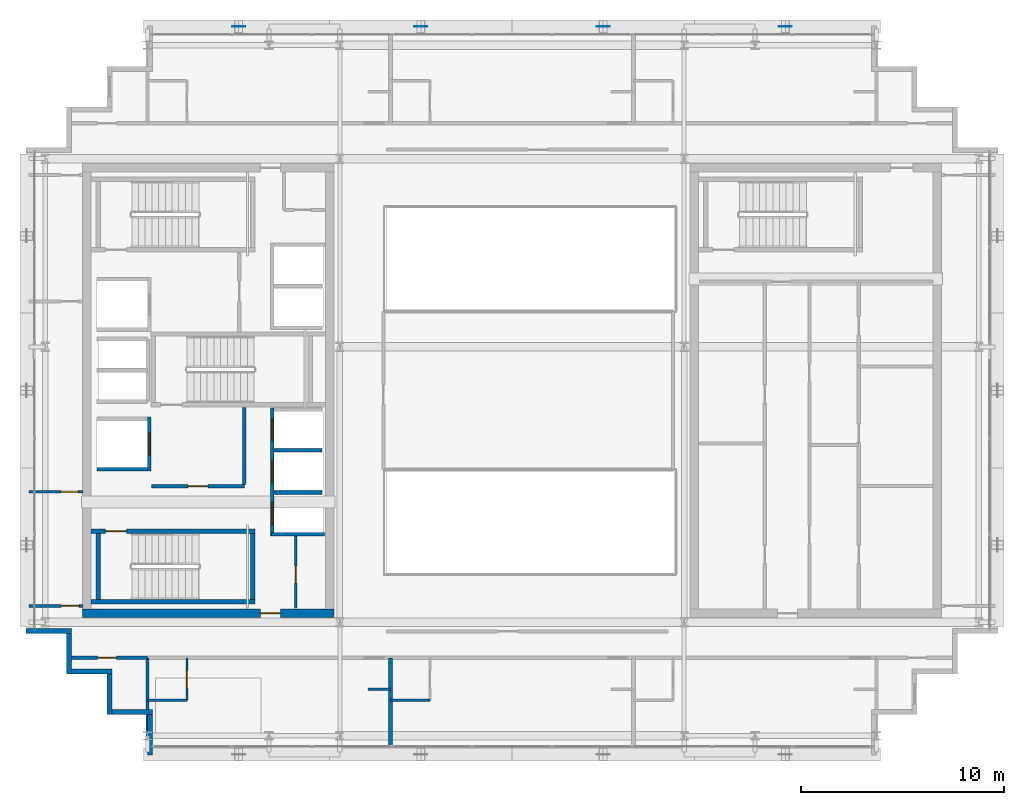
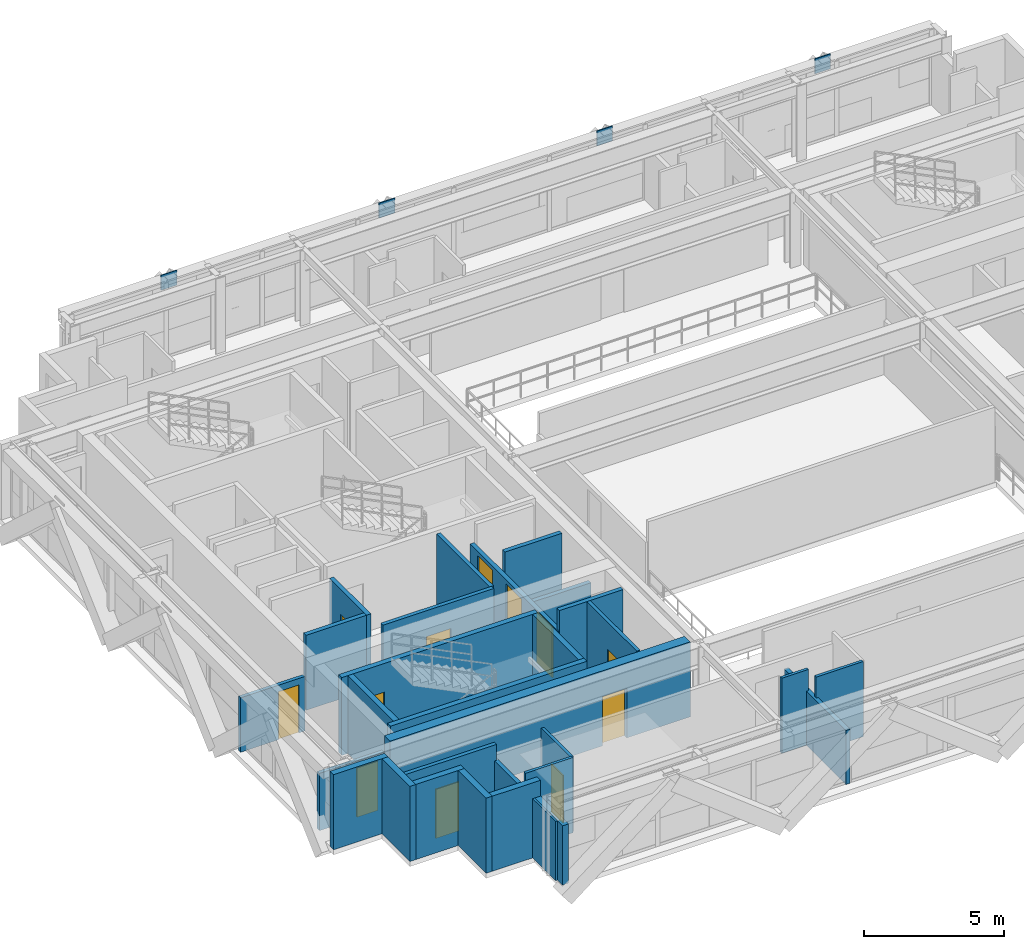
# One storey, part 20 of 28: 29 walls, 12 doors, 4 plates, 12 openings.
"""IFC4 building model written with IfcOpenShell, lengths in metres."""

from ifc_helpers import new_model, si_unit, direction, frame, frame_2d, origin, origin_2d, place, context, subcontext, project, spatial, rectangle, extrude, source, transform, mapped, material, layer, layer_set, type_object, element, fill, save


model = new_model("IFC4")

# Units and contexts
model_context = context("Model", 3, precision=1e-05, world=origin(), true_north=direction((0.0, 1.0)))
body_context = subcontext(model_context, "Body", "Model", "MODEL_VIEW")
ifc_project = project(units=[si_unit("LENGTHUNIT", "METRE"), si_unit("AREAUNIT", "SQUARE_METRE"), si_unit("VOLUMEUNIT", "CUBIC_METRE"), si_unit("PLANEANGLEUNIT", "RADIAN"), si_unit("MASSUNIT", "GRAM", prefix="KILO")], contexts=[model_context])

# Site, building, storey
site_placement = place(None, origin())
site = spatial("IfcSite", under=ifc_project, at=site_placement, CompositionType="ELEMENT")
building_placement = place(site_placement, origin())
building = spatial("IfcBuilding", under=site, at=building_placement, Name="Ocotamira Hotel", CompositionType="ELEMENT")
storey_placement = place(building_placement, frame((0.0, 0.0, 243.60009765625)))
storey = spatial("IfcBuildingStorey", under=building, at=storey_placement, Name="L61", CompositionType="ELEMENT", Elevation=243.60009765625)

# Plates
ifc_material_1 = material(Name="Pale-metal coated steel ASTM A572 Grade 50", Category="steel")
ifc_layer_1 = layer(ifc_material_1, 0.0400390625)
ifc_layer_set_1 = layer_set([ifc_layer_1], Name="Pale-metal coated steel ASTM A572 Grade 50")
plate_type = type_object("IfcPlateType", Name="PLT-GUSSET-40", PredefinedType="SHEET", material=ifc_layer_set_1)
shared_shape_1 = source(origin(), body_context, "Body", "SweptSolid", [
    extrude(rectangle(XDim=0.64990234375, YDim=0.0400390625, at=origin_2d()), origin(), (0.0, 0.0, 1.0), 0.64990234375),
])
for number, where, z_axis, x_axis, name in (
    (1, (18.5, 43.969970703125, 2.704833984375), (0.0, 0.0, 1.0), (1.0, 0.0, 0.0), "L61 Exoskeleton Diagrid N0.1 End Gusset B"),
    (2, (27.5, 43.969970703125, 2.704833984375), (0.0, 0.0, 1.0), (1.0, 0.0, 0.0), "L61 Exoskeleton Diagrid N1.1 End Gusset B"),
    (3, (36.5, 43.969970703125, 2.704833984375), (0.0, 0.0, 1.0), (1.0, 0.0, 0.0), "L61 Exoskeleton Diagrid N2.1 End Gusset B"),
    (4, (45.5, 43.969970703125, 2.704833984375), (0.0, 0.0, 1.0), (1.0, 0.0, 0.0), "L61 Exoskeleton Diagrid N3.1 End Gusset B"),
):
    element("IfcPlate", number, at=place(storey_placement, frame(where, z_axis=z_axis, x_axis=x_axis)), inside=storey, type_object=plate_type, Name=name, PredefinedType="SHEET", context=body_context, shape_type="MappedRepresentation", body=[
        mapped(shared_shape_1, transform((0.0, 0.0, 0.0), scale=1.0)),
    ])

# Wall, opening, door
ifc_material_2 = material(Name="Concrete C50/60", Category="concrete")
ifc_layer_2 = layer(ifc_material_2, 0.39990234375)
ifc_layer_set_2 = layer_set([ifc_layer_2], Name="Concrete C50/60")
wall_type_1 = type_object("IfcWallType", Name="WL-CORE-400", PredefinedType="SHEAR", material=ifc_layer_set_2)
wall_1_placement = place(storey_placement, frame((10.800048828125, 15.0, 0.0), z_axis=(0.0, 0.0, 1.0), x_axis=(1.0, 0.0, 0.0)))
wall_1 = element("IfcWall", 5, at=wall_1_placement, inside=storey, type_object=wall_type_1, Name="L61 Shear Core Wall WCORE-S", PredefinedType="SHEAR", context=body_context, shape_type="SweptSolid", body=[
    extrude(rectangle(XDim=12.39990234375, YDim=0.39990234375, at=frame_2d((6.199951171875, 0.0))), origin(), (0.0, 0.0, 1.0), 3.27978515625),
])
opening_1_placement = place(wall_1_placement, frame((8.780029296875, 0.0, 0.0)))
opening_1 = element("IfcOpeningElement", 6, at=opening_1_placement, cuts=wall_1, Name="Opening D-FR2", PredefinedType="OPENING", context=body_context, shape_type="SweptSolid", body=[
    extrude(rectangle(XDim=1.0, YDim=2.14990234375, at=frame_2d((0.5, 1.074951171875))), frame((0.0, 0.2099609375, 0.0), z_axis=(0.0, -1.0, 0.0), x_axis=(1.0, 0.0, 0.0)), (0.0, 0.0, 1.0), 0.419921875),
])
ifc_material_3 = material(Name="Fire-rated acoustic timber-veneer door", Category="wood")
door_type_1 = type_object("IfcDoorType", Name="DR-FIRE-1000", OperationType="NOTDEFINED", PredefinedType="DOOR", material=ifc_material_3)
shared_shape_2 = source(origin(), body_context, "Body", "SweptSolid", [
    extrude(rectangle(XDim=1.0, YDim=2.14990234375, at=frame_2d((0.5, 1.074951171875))), frame((0.0, 0.02490234375, 0.0), z_axis=(0.0, -1.0, 0.0), x_axis=(1.0, 0.0, 0.0)), (0.0, 0.0, 1.0), 0.050048828125),
])
door_1_placement = place(opening_1_placement, origin())
door_1 = element("IfcDoor", 7, at=door_1_placement, inside=storey, type_object=door_type_1, Name="L61 Door ID-L61-WLOB-S-D [ID-L61-WLOB-S-D]", OperationType="SINGLE_SWING_LEFT", OverallHeight=2.14990234375, OverallWidth=1.0, PredefinedType="DOOR", context=body_context, shape_type="MappedRepresentation", body=[
    mapped(shared_shape_2, transform((0.0, 0.0, 0.0), scale=1.0)),
])
fill(opening_1, door_1)

# Walls
ifc_material_4 = material(Name="Precast concrete C45/55", Category="concrete")
ifc_layer_3 = layer(ifc_material_4, 0.25)
ifc_layer_set_3 = layer_set([ifc_layer_3], Name="Precast concrete C45/55")
wall_type_2 = type_object("IfcWallType", Name="WL-EXT-SER-250", PredefinedType="SOLIDWALL", material=ifc_layer_set_3)
wall_2_placement = place(storey_placement, frame((8.0, 14.125, 0.0), z_axis=(0.0, 0.0, 1.0), x_axis=(1.0, 0.0, 0.0)))
element("IfcWall", 8, at=wall_2_placement, inside=storey, type_object=wall_type_2, Name="L61 Serrated Corner Wall 19", PredefinedType="SOLIDWALL", context=body_context, shape_type="SweptSolid", body=[
    extrude(rectangle(XDim=2.25, YDim=0.25, at=frame_2d((1.125, 0.0))), origin(), (0.0, 0.0, 1.0), 3.27978515625),
])
for number, where, z_axis, x_axis, name in (
    (9, (10.125, 14.0, 0.0), (0.0, 0.0, 1.0), (0.0, -1.0, 0.0), "L61 Serrated Corner Wall 20"),
    (10, (10.25, 12.125, 0.0), (0.0, 0.0, 1.0), (1.0, 0.0, 0.0), "L61 Serrated Corner Wall 21"),
    (11, (12.125, 12.0, 0.0), (0.0, 0.0, 1.0), (0.0, -1.0, 0.0), "L61 Serrated Corner Wall 22"),
    (12, (12.25, 10.125, 0.0), (0.0, 0.0, 1.0), (1.0, 0.0, 0.0), "L61 Serrated Corner Wall 23"),
):
    element("IfcWall", number, at=place(storey_placement, frame(where, z_axis=z_axis, x_axis=x_axis)), inside=storey, type_object=wall_type_2, Name=name, PredefinedType="SOLIDWALL", context=body_context, shape_type="SweptSolid", body=[
        extrude(rectangle(XDim=2.0, YDim=0.25, at=frame_2d((1.0, 0.0))), origin(), (0.0, 0.0, 1.0), 3.27978515625),
    ])
wall_3_placement = place(storey_placement, frame((14.125, 10.0, 0.0), z_axis=(0.0, 0.0, 1.0), x_axis=(0.0, -1.0, 0.0)))
element("IfcWall", 13, at=wall_3_placement, inside=storey, type_object=wall_type_2, Name="L61 Serrated Corner Wall 24", PredefinedType="SOLIDWALL", context=body_context, shape_type="SweptSolid", body=[
    extrude(rectangle(XDim=2.0, YDim=0.25, at=frame_2d((1.0, 0.0))), origin(), (0.0, 0.0, 1.0), 2.5869140625),
])

# Wall, opening, door
ifc_material_5 = material(Name="Acoustic double-layer fire gypsum board partition", Category="gypsum")
ifc_layer_4 = layer(ifc_material_5, 0.159912109375)
ifc_layer_set_4 = layer_set([ifc_layer_4], Name="Acoustic double-layer fire gypsum board partition")
wall_type_3 = type_object("IfcWallType", Name="WL-FIRE-160", PredefinedType="PARTITIONING", material=ifc_layer_set_4)
wall_4_placement = place(storey_placement, frame((14.199951171875, 21.27001953125, 0.0), z_axis=(0.0, 0.0, 1.0), x_axis=(1.0, 0.0, 0.0)))
wall_4 = element("IfcWall", 14, at=wall_4_placement, inside=storey, type_object=wall_type_3, Name="L61 Interior Wall PW-L61-FSAE1-S", PredefinedType="PARTITIONING", context=body_context, shape_type="SweptSolid", body=[
    extrude(rectangle(XDim=4.580078125, YDim=0.159912109375, at=frame_2d((2.2900390625, 0.0))), origin(), (0.0, 0.0, 1.0), 3.27978515625),
])
opening_2_placement = place(wall_4_placement, frame((1.800048828125, 0.0, 0.0)))
opening_2 = element("IfcOpeningElement", 15, at=opening_2_placement, cuts=wall_4, Name="Opening D-FR2", PredefinedType="OPENING", context=body_context, shape_type="SweptSolid", body=[
    extrude(rectangle(XDim=1.0, YDim=2.14990234375, at=frame_2d((0.5, 1.074951171875))), frame((0.0, 0.08984375, 0.0), z_axis=(0.0, -1.0, 0.0), x_axis=(1.0, 0.0, 0.0)), (0.0, 0.0, 1.0), 0.179931640625),
])
door_2_placement = place(opening_2_placement, origin())
door_2 = element("IfcDoor", 16, at=door_2_placement, inside=storey, type_object=door_type_1, Name="L61 Door ID-L61-FSAE1-D [ID-L61-FSAE1-D]", OperationType="SINGLE_SWING_LEFT", OverallHeight=2.14990234375, OverallWidth=1.0, PredefinedType="DOOR", context=body_context, shape_type="MappedRepresentation", body=[
    mapped(shared_shape_2, transform((0.0, 0.0, 0.0), scale=1.0)),
])
fill(opening_2, door_2)

# Wall
wall_5_placement = place(storey_placement, frame((18.780029296875, 21.35009765625, 0.0), z_axis=(0.0, 0.0, 1.0), x_axis=(0.0, 1.0, 0.0)))
element("IfcWall", 17, at=wall_5_placement, inside=storey, type_object=wall_type_3, Name="L61 Interior Wall PW-L61-FSAE1-E", PredefinedType="PARTITIONING", context=body_context, shape_type="SweptSolid", body=[
    extrude(rectangle(XDim=3.809814453125, YDim=0.159912109375, at=frame_2d((1.90478515625, 0.0))), origin(), (0.0, 0.0, 1.0), 3.27978515625),
])

# Wall, opening, door
wall_6_placement = place(storey_placement, frame((10.0, 12.800048828125, 0.0), z_axis=(0.0, 0.0, 1.0), x_axis=(1.0, 0.0, 0.0)))
wall_6 = element("IfcWall", 18, at=wall_6_placement, inside=storey, type_object=wall_type_3, Name="L61 Interior Wall PW-L61-Z4CSW-CW", PredefinedType="PARTITIONING", context=body_context, shape_type="SweptSolid", body=[
    extrude(rectangle(XDim=4.0, YDim=0.159912109375, at=frame_2d((2.0, 0.0))), origin(), (0.0, 0.0, 1.0), 3.27978515625),
])
opening_3_placement = place(wall_6_placement, frame((1.52001953125, 0.0, 0.0)))
opening_3 = element("IfcOpeningElement", 19, at=opening_3_placement, cuts=wall_6, Name="Opening D-SV4", PredefinedType="OPENING", context=body_context, shape_type="SweptSolid", body=[
    extrude(rectangle(XDim=0.9599609375, YDim=2.14990234375, at=frame_2d((0.47998046875, 1.074951171875))), frame((0.0, 0.08984375, 0.0), z_axis=(0.0, -1.0, 0.0), x_axis=(1.0, 0.0, 0.0)), (0.0, 0.0, 1.0), 0.179931640625),
])
ifc_material_6 = material(Name="Fire-rated accessible walnut salon door", Category="wood")
door_type_2 = type_object("IfcDoorType", Name="DR-SERV-960", OperationType="NOTDEFINED", PredefinedType="DOOR", material=ifc_material_6)
shared_shape_3 = source(origin(), body_context, "Body", "SweptSolid", [
    extrude(rectangle(XDim=0.9599609375, YDim=2.14990234375, at=frame_2d((0.47998046875, 1.074951171875))), frame((0.0, 0.02490234375, 0.0), z_axis=(0.0, -1.0, 0.0), x_axis=(1.0, 0.0, 0.0)), (0.0, 0.0, 1.0), 0.050048828125),
])
door_3_placement = place(opening_3_placement, origin())
door_3 = element("IfcDoor", 20, at=door_3_placement, inside=storey, type_object=door_type_2, Name="L61 Door ID-L61-Z4CSW-CD [ID-L61-Z4CSW-CD]", OperationType="SINGLE_SWING_LEFT", OverallHeight=2.14990234375, OverallWidth=0.9599609375, PredefinedType="DOOR", context=body_context, shape_type="MappedRepresentation", body=[
    mapped(shared_shape_3, transform((0.0, 0.0, 0.0), scale=1.0)),
])
fill(opening_3, door_3)

ifc_material_7 = material(Name="Moisture-resistant en-suite tile and gypsum partition", Category="gypsum")
ifc_layer_5 = layer(ifc_material_7, 0.1201171875)
ifc_layer_set_5 = layer_set([ifc_layer_5], Name="Moisture-resistant en-suite tile and gypsum partition")
wall_type_4 = type_object("IfcWallType", Name="WL-PART-120", PredefinedType="PARTITIONING", material=ifc_layer_set_5)
wall_7_placement = place(storey_placement, frame((15.949951171875, 10.699951171875, 0.0), z_axis=(0.0, 0.0, 1.0), x_axis=(0.0, 1.0, 0.0)))
wall_7 = element("IfcWall", 21, at=wall_7_placement, inside=storey, type_object=wall_type_4, Name="L61 Interior Wall PW-L61-Z4CS-BAE1", PredefinedType="PARTITIONING", context=body_context, shape_type="SweptSolid", body=[
    extrude(rectangle(XDim=2.10009765625, YDim=0.1201171875, at=frame_2d((1.050048828125, 0.0))), origin(), (0.0, 0.0, 1.0), 3.27978515625),
])
opening_4_placement = place(wall_7_placement, frame((0.6201171875, 0.0, 0.0)))
opening_4 = element("IfcOpeningElement", 22, at=opening_4_placement, cuts=wall_7, Name="Opening D-BA1", PredefinedType="OPENING", context=body_context, shape_type="SweptSolid", body=[
    extrude(rectangle(XDim=0.860107421875, YDim=2.10009765625, at=frame_2d((0.43017578125, 1.050048828125))), frame((0.0, 0.070068359375, 0.0), z_axis=(0.0, -1.0, 0.0), x_axis=(1.0, 0.0, 0.0)), (0.0, 0.0, 1.0), 0.14013671875),
])
ifc_material_8 = material(Name="Moisture-sealed en-suite timber door", Category="wood")
door_type_3 = type_object("IfcDoorType", Name="DR-BATH-860", OperationType="NOTDEFINED", PredefinedType="DOOR", material=ifc_material_8)
shared_shape_4 = source(origin(), body_context, "Body", "SweptSolid", [
    extrude(rectangle(XDim=0.860107421875, YDim=2.10009765625, at=frame_2d((0.43017578125, 1.050048828125))), frame((0.0, 0.02490234375, 0.0), z_axis=(0.0, -1.0, 0.0), x_axis=(1.0, 0.0, 0.0)), (0.0, 0.0, 1.0), 0.050048828125),
])
door_4_placement = place(opening_4_placement, origin())
door_4 = element("IfcDoor", 23, at=door_4_placement, inside=storey, type_object=door_type_3, Name="L61 Door ID-L61-Z4CS-BAD1 [ID-L61-Z4CS-BAD1]", OperationType="SINGLE_SWING_RIGHT", OverallHeight=2.10009765625, OverallWidth=0.860107421875, PredefinedType="DOOR", context=body_context, shape_type="MappedRepresentation", body=[
    mapped(shared_shape_4, transform((0.0, 0.0, 0.0), scale=1.0)),
])
fill(opening_4, door_4)

# Walls
wall_8_placement = place(storey_placement, frame((14.0, 10.699951171875, 0.0), z_axis=(0.0, 0.0, 1.0), x_axis=(1.0, 0.0, 0.0)))
element("IfcWall", 24, at=wall_8_placement, inside=storey, type_object=wall_type_4, Name="L61 Interior Wall PW-L61-Z4CS-BAS1", PredefinedType="PARTITIONING", context=body_context, shape_type="SweptSolid", body=[
    extrude(rectangle(XDim=1.949951171875, YDim=0.1201171875, at=frame_2d((0.97509765625, 0.0))), origin(), (0.0, 0.0, 1.0), 3.27978515625),
])
wall_9_placement = place(storey_placement, frame((24.89990234375, 11.25, 0.0), z_axis=(0.0, 0.0, 1.0), x_axis=(1.0, 0.0, 0.0)))
element("IfcWall", 25, at=wall_9_placement, inside=storey, type_object=wall_type_4, Name="L61 Interior Wall PW-L61-Z4CS-DRN1", PredefinedType="PARTITIONING", context=body_context, shape_type="SweptSolid", body=[
    extrude(rectangle(XDim=1.10009765625, YDim=0.1201171875, at=frame_2d((0.550048828125, 0.0))), origin(), (0.0, 0.0, 1.0), 3.27978515625),
])
wall_10_placement = place(storey_placement, frame((26.0, 10.699951171875, 0.0), z_axis=(0.0, 0.0, 1.0), x_axis=(1.0, 0.0, 0.0)))
element("IfcWall", 26, at=wall_10_placement, inside=storey, type_object=wall_type_4, Name="L61 Interior Wall PW-L61-Z4CS-BAS2", PredefinedType="PARTITIONING", context=body_context, shape_type="SweptSolid", body=[
    extrude(rectangle(XDim=1.949951171875, YDim=0.1201171875, at=frame_2d((0.97509765625, 0.0))), origin(), (0.0, 0.0, 1.0), 3.27978515625),
])

# Wall, opening, door
ifc_material_9 = material(Name="Acoustic hospitality gypsum board partition", Category="gypsum")
ifc_layer_6 = layer(ifc_material_9, 0.14208984375)
ifc_layer_set_6 = layer_set([ifc_layer_6], Name="Acoustic hospitality gypsum board partition")
wall_type_5 = type_object("IfcWallType", Name="WL-PART-142", PredefinedType="PARTITIONING", material=ifc_layer_set_6)
wall_11_placement = place(storey_placement, frame((21.320068359375, 15.25, 0.0), z_axis=(0.0, 0.0, 1.0), x_axis=(0.0, 1.0, 0.0)))
wall_11 = element("IfcWall", 27, at=wall_11_placement, inside=storey, type_object=wall_type_5, Name="L61 Interior Wall PW-L61-WC-SE-W", PredefinedType="PARTITIONING", context=body_context, shape_type="SweptSolid", body=[
    extrude(rectangle(XDim=3.590087890625, YDim=0.14208984375, at=frame_2d((1.794921875, 0.0))), origin(), (0.0, 0.0, 1.0), 3.27978515625),
])
opening_5_placement = place(wall_11_placement, frame((1.25, 0.0, 0.0)))
opening_5 = element("IfcOpeningElement", 28, at=opening_5_placement, cuts=wall_11, Name="Opening D-SV1", PredefinedType="OPENING", context=body_context, shape_type="SweptSolid", body=[
    extrude(rectangle(XDim=0.840087890625, YDim=2.10009765625, at=frame_2d((0.419921875, 1.050048828125))), frame((0.0, 0.0810546875, 0.0), z_axis=(0.0, -1.0, 0.0), x_axis=(1.0, 0.0, 0.0)), (0.0, 0.0, 1.0), 0.162109375),
])
ifc_material_10 = material(Name="Fire-rated painted steel service door", Category="steel")
door_type_4 = type_object("IfcDoorType", Name="DR-SERV-840", OperationType="NOTDEFINED", PredefinedType="DOOR", material=ifc_material_10)
shared_shape_5 = source(origin(), body_context, "Body", "SweptSolid", [
    extrude(rectangle(XDim=0.840087890625, YDim=2.10009765625, at=frame_2d((0.419921875, 1.050048828125))), frame((0.0, 0.02490234375, 0.0), z_axis=(0.0, -1.0, 0.0), x_axis=(1.0, 0.0, 0.0)), (0.0, 0.0, 1.0), 0.050048828125),
])
door_5_placement = place(opening_5_placement, origin())
door_5 = element("IfcDoor", 29, at=door_5_placement, inside=storey, type_object=door_type_4, Name="L61 Door ID-L61-WC-SE-D [ID-L61-WC-SE-D]", OperationType="SINGLE_SWING_RIGHT", OverallHeight=2.10009765625, OverallWidth=0.840087890625, PredefinedType="DOOR", context=body_context, shape_type="MappedRepresentation", body=[
    mapped(shared_shape_5, transform((0.0, 0.0, 0.0), scale=1.0)),
])
fill(opening_5, door_5)

wall_12_placement = place(storey_placement, frame((8.159912109375, 21.0, 0.0), z_axis=(0.0, 0.0, 1.0), x_axis=(1.0, 0.0, 0.0)))
wall_12 = element("IfcWall", 30, at=wall_12_placement, inside=storey, type_object=wall_type_5, Name="L61 Interior Wall PW-L61-Z4CW-DV1", PredefinedType="PARTITIONING", context=body_context, shape_type="SweptSolid", body=[
    extrude(rectangle(XDim=2.66015625, YDim=0.14208984375, at=frame_2d((1.330078125, 0.0))), origin(), (0.0, 0.0, 1.0), 2.3798828125),
])
opening_6_placement = place(wall_12_placement, frame((1.580078125, 0.0, 0.0)))
opening_6 = element("IfcOpeningElement", 31, at=opening_6_placement, cuts=wall_12, Name="Opening D-SV1", PredefinedType="OPENING", context=body_context, shape_type="SweptSolid", body=[
    extrude(rectangle(XDim=0.840087890625, YDim=2.10009765625, at=frame_2d((0.419921875, 1.050048828125))), frame((0.0, 0.0810546875, 0.0), z_axis=(0.0, -1.0, 0.0), x_axis=(1.0, 0.0, 0.0)), (0.0, 0.0, 1.0), 0.162109375),
])
door_6_placement = place(opening_6_placement, origin())
door_6 = element("IfcDoor", 32, at=door_6_placement, inside=storey, type_object=door_type_4, Name="L61 Door ID-L61-Z4CW-DV1D [ID-L61-Z4CW-DV1D]", OperationType="SINGLE_SWING_LEFT", OverallHeight=2.10009765625, OverallWidth=0.840087890625, PredefinedType="DOOR", context=body_context, shape_type="MappedRepresentation", body=[
    mapped(shared_shape_5, transform((0.0, 0.0, 0.0), scale=1.0)),
])
fill(opening_6, door_6)

ifc_layer_7 = layer(ifc_material_9, 0.14990234375)
ifc_layer_set_7 = layer_set([ifc_layer_7], Name="Acoustic hospitality gypsum board partition")
wall_type_6 = type_object("IfcWallType", Name="WL-PART-150", PredefinedType="PARTITIONING", material=ifc_layer_set_7)
wall_13_placement = place(storey_placement, frame((8.159912109375, 15.360107421875, 0.0), z_axis=(0.0, 0.0, 1.0), x_axis=(1.0, 0.0, 0.0)))
wall_13 = element("IfcWall", 33, at=wall_13_placement, inside=storey, type_object=wall_type_6, Name="L61 Interior Wall PW-L61-Z4CW-WS", PredefinedType="PARTITIONING", context=body_context, shape_type="SweptSolid", body=[
    extrude(rectangle(XDim=2.66015625, YDim=0.14990234375, at=frame_2d((1.330078125, 0.0))), origin(), (0.0, 0.0, 1.0), 2.5009765625),
])
opening_7_placement = place(wall_13_placement, frame((1.580078125, 0.0, 0.0)))
opening_7 = element("IfcOpeningElement", 34, at=opening_7_placement, cuts=wall_13, Name="Opening D-SV2", PredefinedType="OPENING", context=body_context, shape_type="SweptSolid", body=[
    extrude(rectangle(XDim=0.8798828125, YDim=2.14990234375, at=frame_2d((0.43994140625, 1.074951171875))), frame((0.0, 0.0849609375, 0.0), z_axis=(0.0, -1.0, 0.0), x_axis=(1.0, 0.0, 0.0)), (0.0, 0.0, 1.0), 0.169921875),
])
door_type_5 = type_object("IfcDoorType", Name="DR-SERV-880", OperationType="NOTDEFINED", PredefinedType="DOOR", material=ifc_material_10)
shared_shape_6 = source(origin(), body_context, "Body", "SweptSolid", [
    extrude(rectangle(XDim=0.8798828125, YDim=2.14990234375, at=frame_2d((0.43994140625, 1.074951171875))), frame((0.0, 0.02490234375, 0.0), z_axis=(0.0, -1.0, 0.0), x_axis=(1.0, 0.0, 0.0)), (0.0, 0.0, 1.0), 0.050048828125),
])
door_7_placement = place(opening_7_placement, origin())
door_7 = element("IfcDoor", 35, at=door_7_placement, inside=storey, type_object=door_type_5, Name="L61 Door ID-L61-Z4CW-DS [ID-L61-Z4CW-DS]", OperationType="SINGLE_SWING_LEFT", OverallHeight=2.14990234375, OverallWidth=0.8798828125, PredefinedType="DOOR", context=body_context, shape_type="MappedRepresentation", body=[
    mapped(shared_shape_6, transform((0.0, 0.0, 0.0), scale=1.0)),
])
fill(opening_7, door_7)

# Walls
ifc_material_11 = material(Name="Acoustic double-stud hospitality gypsum partition", Category="gypsum")
ifc_layer_8 = layer(ifc_material_11, 0.159912109375)
ifc_layer_set_8 = layer_set([ifc_layer_8], Name="Acoustic double-stud hospitality gypsum partition")
wall_type_7 = type_object("IfcWallType", Name="WL-PART-160", PredefinedType="PARTITIONING", material=ifc_layer_set_8)
wall_14_placement = place(storey_placement, frame((14.0, 8.360107421875, 0.0), z_axis=(0.0, 0.0, 1.0), x_axis=(0.0, 1.0, 0.0)))
element("IfcWall", 36, at=wall_14_placement, inside=storey, type_object=wall_type_7, Name="L61 Interior Wall PW-L61-Z4CS-PW0", PredefinedType="PARTITIONING", context=body_context, shape_type="SweptSolid", body=[
    extrude(rectangle(XDim=4.43994140625, YDim=0.159912109375, at=frame_2d((2.219970703125, 0.0))), origin(), (0.0, 0.0, 1.0), 2.5869140625),
])
ifc_material_12 = material(Name="Double-stud suite party gypsum partition", Category="gypsum")
ifc_layer_9 = layer(ifc_material_12, 0.175048828125)
ifc_layer_set_9 = layer_set([ifc_layer_9], Name="Double-stud suite party gypsum partition")
wall_type_8 = type_object("IfcWallType", Name="WL-PART-175", PredefinedType="PARTITIONING", material=ifc_layer_set_9)
wall_15_placement = place(storey_placement, frame((26.0, 8.360107421875, 0.0), z_axis=(0.0, 0.0, 1.0), x_axis=(0.0, 1.0, 0.0)))
element("IfcWall", 37, at=wall_15_placement, inside=storey, type_object=wall_type_8, Name="L61 Interior Wall PW-L61-Z4CS-PW1", PredefinedType="PARTITIONING", context=body_context, shape_type="SweptSolid", body=[
    extrude(rectangle(XDim=4.43994140625, YDim=0.175048828125, at=frame_2d((2.219970703125, 0.0))), origin(), (0.0, 0.0, 1.0), 2.35986328125),
])

# Wall, openings, doors
ifc_material_13 = material(Name="Fire-rated gypsum shaftliner board assembly", Category="gypsum")
ifc_layer_10 = layer(ifc_material_13, 0.179931640625)
ifc_layer_set_10 = layer_set([ifc_layer_10], Name="Fire-rated gypsum shaftliner board assembly")
wall_type_9 = type_object("IfcWallType", Name="WL-SHAFT-180", PredefinedType="SOLIDWALL", material=ifc_layer_set_10)
wall_16_placement = place(storey_placement, frame((20.159912109375, 18.820068359375, 0.0), z_axis=(0.0, 0.0, 1.0), x_axis=(0.0, 1.0, 0.0)))
wall_16 = element("IfcWall", 38, at=wall_16_placement, inside=storey, type_object=wall_type_9, Name="L61 Interior Wall PW-L61-LFW-BANK-high-F", PredefinedType="SOLIDWALL", context=body_context, shape_type="SweptSolid", body=[
    extrude(rectangle(XDim=6.31982421875, YDim=0.179931640625, at=frame_2d((3.159912109375, 0.0))), origin(), (0.0, 0.0, 1.0), 2.3798828125),
])
opening_8_placement = place(wall_16_placement, frame((0.554931640625, 0.0, 0.0)))
opening_8 = element("IfcOpeningElement", 39, at=opening_8_placement, cuts=wall_16, Name="Opening LD-LF-P7", PredefinedType="OPENING", context=body_context, shape_type="SweptSolid", body=[
    extrude(rectangle(XDim=1.10009765625, YDim=2.199951171875, at=frame_2d((0.550048828125, 1.10009765625))), frame((0.0, 0.10009765625, 0.0), z_axis=(0.0, -1.0, 0.0), x_axis=(1.0, 0.0, 0.0)), (0.0, 0.0, 1.0), 0.199951171875),
])
opening_9_placement = place(wall_16_placement, frame((2.635009765625, 0.0, 0.0)))
opening_9 = element("IfcOpeningElement", 40, at=opening_9_placement, cuts=wall_16, Name="Opening LD-LF-P8", PredefinedType="OPENING", context=body_context, shape_type="SweptSolid", body=[
    extrude(rectangle(XDim=1.10009765625, YDim=2.199951171875, at=frame_2d((0.550048828125, 1.10009765625))), frame((0.0, 0.10009765625, 0.0), z_axis=(0.0, -1.0, 0.0), x_axis=(1.0, 0.0, 0.0)), (0.0, 0.0, 1.0), 0.199951171875),
])
opening_10_placement = place(wall_16_placement, frame((4.68994140625, 0.0, 0.0)))
opening_10 = element("IfcOpeningElement", 41, at=opening_10_placement, cuts=wall_16, Name="Opening LD-LF-P9", PredefinedType="OPENING", context=body_context, shape_type="SweptSolid", body=[
    extrude(rectangle(XDim=1.10009765625, YDim=2.199951171875, at=frame_2d((0.550048828125, 1.10009765625))), frame((0.0, 0.10009765625, 0.0), z_axis=(0.0, -1.0, 0.0), x_axis=(1.0, 0.0, 0.0)), (0.0, 0.0, 1.0), 0.199951171875),
])
ifc_material_14 = material(Name="Brushed pale-metal stainless elevator landing door", Category="steel")
door_type_6 = type_object("IfcDoorType", Name="DR-LIFT-1100", OperationType="NOTDEFINED", PredefinedType="DOOR", material=ifc_material_14)
shared_shape_7 = source(origin(), body_context, "Body", "SweptSolid", [
    extrude(rectangle(XDim=1.10009765625, YDim=2.199951171875, at=frame_2d((0.550048828125, 1.10009765625))), frame((0.0, 0.02490234375, 0.0), z_axis=(0.0, -1.0, 0.0), x_axis=(1.0, 0.0, 0.0)), (0.0, 0.0, 1.0), 0.050048828125),
])
door_8_placement = place(opening_8_placement, origin())
door_8 = element("IfcDoor", 42, at=door_8_placement, inside=storey, type_object=door_type_6, Name="L61 Landing Door LD-LF-P7 [ID-L61-LD-LF-P7]", OperationType="DOUBLE_DOOR_SLIDING", OverallHeight=2.199951171875, OverallWidth=1.10009765625, PredefinedType="DOOR", context=body_context, shape_type="MappedRepresentation", body=[
    mapped(shared_shape_7, transform((0.0, 0.0, 0.0), scale=1.0)),
])
fill(opening_8, door_8)
door_9_placement = place(opening_9_placement, origin())
door_9 = element("IfcDoor", 43, at=door_9_placement, inside=storey, type_object=door_type_6, Name="L61 Landing Door LD-LF-P8 [ID-L61-LD-LF-P8]", OperationType="DOUBLE_DOOR_SLIDING", OverallHeight=2.199951171875, OverallWidth=1.10009765625, PredefinedType="DOOR", context=body_context, shape_type="MappedRepresentation", body=[
    mapped(shared_shape_7, transform((0.0, 0.0, 0.0), scale=1.0)),
])
fill(opening_9, door_9)
door_10_placement = place(opening_10_placement, origin())
door_10 = element("IfcDoor", 44, at=door_10_placement, inside=storey, type_object=door_type_6, Name="L61 Landing Door LD-LF-P9 [ID-L61-LD-LF-P9]", OperationType="DOUBLE_DOOR_SLIDING", OverallHeight=2.199951171875, OverallWidth=1.10009765625, PredefinedType="DOOR", context=body_context, shape_type="MappedRepresentation", body=[
    mapped(shared_shape_7, transform((0.0, 0.0, 0.0), scale=1.0)),
])
fill(opening_10, door_10)

# Walls
wall_17_placement = place(storey_placement, frame((20.1201171875, 18.909912109375, 0.0), z_axis=(0.0, 0.0, 1.0), x_axis=(1.0, 0.0, 0.0)))
element("IfcWall", 45, at=wall_17_placement, inside=storey, type_object=wall_type_9, Name="L61 Interior Wall PW-L61-LFW-BANK-high-S", PredefinedType="SOLIDWALL", context=body_context, shape_type="SweptSolid", body=[
    extrude(rectangle(XDim=2.6298828125, YDim=0.179931640625, at=frame_2d((1.31494140625, 0.0))), origin(), (0.0, 0.0, 1.0), 3.27978515625),
])
wall_18_placement = place(storey_placement, frame((20.25, 20.965087890625, 0.0), z_axis=(0.0, 0.0, 1.0), x_axis=(1.0, 0.0, 0.0)))
element("IfcWall", 46, at=wall_18_placement, inside=storey, type_object=wall_type_9, Name="L61 Interior Wall PW-L61-LFW-DIV-LF-P7", PredefinedType="SOLIDWALL", context=body_context, shape_type="SweptSolid", body=[
    extrude(rectangle(XDim=2.360107421875, YDim=0.179931640625, at=frame_2d((1.18017578125, 0.0))), origin(), (0.0, 0.0, 1.0), 2.3798828125),
])
wall_19_placement = place(storey_placement, frame((20.25, 23.044921875, 0.0), z_axis=(0.0, 0.0, 1.0), x_axis=(1.0, 0.0, 0.0)))
element("IfcWall", 47, at=wall_19_placement, inside=storey, type_object=wall_type_9, Name="L61 Interior Wall PW-L61-LFW-DIV-LF-P8", PredefinedType="SOLIDWALL", context=body_context, shape_type="SweptSolid", body=[
    extrude(rectangle(XDim=2.360107421875, YDim=0.179931640625, at=frame_2d((1.18017578125, 0.0))), origin(), (0.0, 0.0, 1.0), 3.27978515625),
])
wall_20_placement = place(storey_placement, frame((11.5, 22.110107421875, 0.0), z_axis=(0.0, 0.0, 1.0), x_axis=(1.0, 0.0, 0.0)))
element("IfcWall", 48, at=wall_20_placement, inside=storey, type_object=wall_type_9, Name="L61 Interior Wall PW-L61-LFW-LF-FSAE1-S", PredefinedType="SOLIDWALL", context=body_context, shape_type="SweptSolid", body=[
    extrude(rectangle(XDim=2.5, YDim=0.179931640625, at=frame_2d((1.25, 0.0))), origin(), (0.0, 0.0, 1.0), 3.27978515625),
])

# Wall, opening, door
wall_21_placement = place(storey_placement, frame((14.090087890625, 22.02001953125, 0.0), z_axis=(0.0, 0.0, 1.0), x_axis=(0.0, 1.0, 0.0)))
wall_21 = element("IfcWall", 49, at=wall_21_placement, inside=storey, type_object=wall_type_9, Name="L61 Interior Wall PW-L61-LFW-LF-FSAE1-E", PredefinedType="SOLIDWALL", context=body_context, shape_type="SweptSolid", body=[
    extrude(rectangle(XDim=2.659912109375, YDim=0.179931640625, at=frame_2d((1.330078125, 0.0))), origin(), (0.0, 0.0, 1.0), 3.27978515625),
])
opening_11_placement = place(wall_21_placement, frame((0.780029296875, 0.0, 0.0)))
opening_11 = element("IfcOpeningElement", 50, at=opening_11_placement, cuts=wall_21, Name="Opening LD-LF-FSAE1", PredefinedType="OPENING", context=body_context, shape_type="SweptSolid", body=[
    extrude(rectangle(XDim=1.10009765625, YDim=2.199951171875, at=frame_2d((0.550048828125, 1.10009765625))), frame((0.0, 0.10009765625, 0.0), z_axis=(0.0, -1.0, 0.0), x_axis=(1.0, 0.0, 0.0)), (0.0, 0.0, 1.0), 0.199951171875),
])
door_11_placement = place(opening_11_placement, origin())
door_11 = element("IfcDoor", 51, at=door_11_placement, inside=storey, type_object=door_type_6, Name="L61 Landing Door LD-LF-FSAE1 [ID-L61-LD-LF-FSAE1]", OperationType="DOUBLE_DOOR_SLIDING", OverallHeight=2.199951171875, OverallWidth=1.10009765625, PredefinedType="DOOR", context=body_context, shape_type="MappedRepresentation", body=[
    mapped(shared_shape_7, transform((0.0, 0.0, 0.0), scale=1.0)),
])
fill(opening_11, door_11)

# Wall
ifc_layer_11 = layer(ifc_material_2, 0.219970703125)
ifc_layer_set_11 = layer_set([ifc_layer_11], Name="Concrete C50/60")
wall_type_10 = type_object("IfcWallType", Name="WL-STAIR-220", PredefinedType="SHEAR", material=ifc_layer_set_11)
wall_22_placement = place(storey_placement, frame((11.199951171875, 15.56005859375, 0.0), z_axis=(0.0, 0.0, 1.0), x_axis=(1.0, 0.0, 0.0)))
element("IfcWall", 52, at=wall_22_placement, inside=storey, type_object=wall_type_10, Name="L61 Stair Shaft Structural Wall ST-1-S", PredefinedType="SHEAR", context=body_context, shape_type="SweptSolid", body=[
    extrude(rectangle(XDim=8.110107421875, YDim=0.219970703125, at=frame_2d((4.05517578125, 0.0))), origin(), (0.0, 0.0, 1.0), 3.39990234375),
])

# Wall, opening, door
wall_23_placement = place(storey_placement, frame((11.199951171875, 19.06005859375, 0.0), z_axis=(0.0, 0.0, 1.0), x_axis=(1.0, 0.0, 0.0)))
wall_23 = element("IfcWall", 53, at=wall_23_placement, inside=storey, type_object=wall_type_10, Name="L61 Stair Shaft Structural Wall ST-1-N", PredefinedType="SHEAR", context=body_context, shape_type="SweptSolid", body=[
    extrude(rectangle(XDim=8.110107421875, YDim=0.219970703125, at=frame_2d((4.05517578125, 0.0))), origin(), (0.0, 0.0, 1.0), 3.39990234375),
])
opening_12_placement = place(wall_23_placement, frame((0.719970703125, 0.0, 0.0)))
opening_12 = element("IfcOpeningElement", 54, at=opening_12_placement, cuts=wall_23, Name="Opening D-ST2", PredefinedType="OPENING", context=body_context, shape_type="SweptSolid", body=[
    extrude(rectangle(XDim=1.050048828125, YDim=2.14990234375, at=frame_2d((0.52490234375, 1.074951171875))), frame((0.0, 0.1201171875, 0.0), z_axis=(0.0, -1.0, 0.0), x_axis=(1.0, 0.0, 0.0)), (0.0, 0.0, 1.0), 0.239990234375),
])
ifc_material_15 = material(Name="Insulated painted hollow-metal fire exit door", Category="steel")
door_type_7 = type_object("IfcDoorType", Name="DR-STAIR-1050", OperationType="NOTDEFINED", PredefinedType="DOOR", material=ifc_material_15)
shared_shape_8 = source(origin(), body_context, "Body", "SweptSolid", [
    extrude(rectangle(XDim=1.050048828125, YDim=2.14990234375, at=frame_2d((0.52490234375, 1.074951171875))), frame((0.0, 0.02490234375, 0.0), z_axis=(0.0, -1.0, 0.0), x_axis=(1.0, 0.0, 0.0)), (0.0, 0.0, 1.0), 0.050048828125),
])
door_12_placement = place(opening_12_placement, origin())
door_12 = element("IfcDoor", 55, at=door_12_placement, inside=storey, type_object=door_type_7, Name="L61 Door ID-L61-STD-ST-1 [ID-L61-STD-ST-1]", OperationType="SINGLE_SWING_RIGHT", OverallHeight=2.14990234375, OverallWidth=1.050048828125, PredefinedType="DOOR", context=body_context, shape_type="MappedRepresentation", body=[
    mapped(shared_shape_8, transform((0.0, 0.0, 0.0), scale=1.0)),
])
fill(opening_12, door_12)

# Walls
for number, where, z_axis, x_axis, name in (
    (56, (11.56005859375, 15.669921875, 0.0), (0.0, 0.0, 1.0), (0.0, 1.0, 0.0), "L61 Stair Shaft Structural Wall ST-1-W"),
    (57, (19.199951171875, 15.669921875, 0.0), (0.0, 0.0, 1.0), (0.0, 1.0, 0.0), "L61 Stair Shaft Structural Wall ST-1-E"),
):
    element("IfcWall", number, at=place(storey_placement, frame(where, z_axis=z_axis, x_axis=x_axis)), inside=storey, type_object=wall_type_10, Name=name, PredefinedType="SHEAR", context=body_context, shape_type="SweptSolid", body=[
        extrude(rectangle(XDim=3.280029296875, YDim=0.219970703125, at=frame_2d((1.64013671875, 0.0))), origin(), (0.0, 0.0, 1.0), 3.39990234375),
    ])

save(model, "model.ifc")
